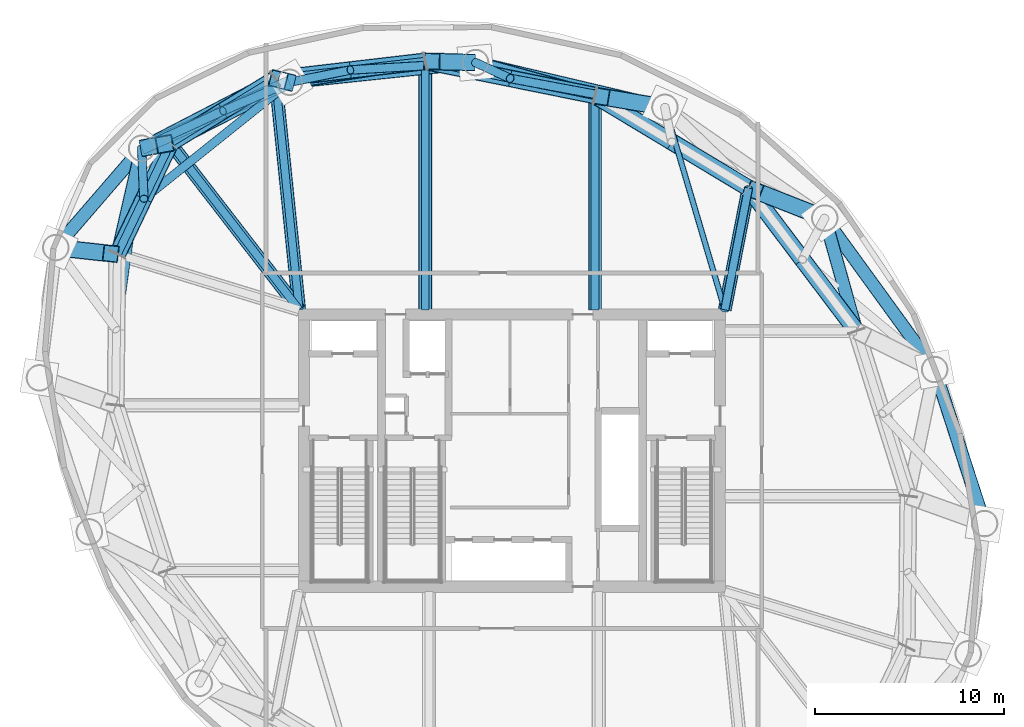
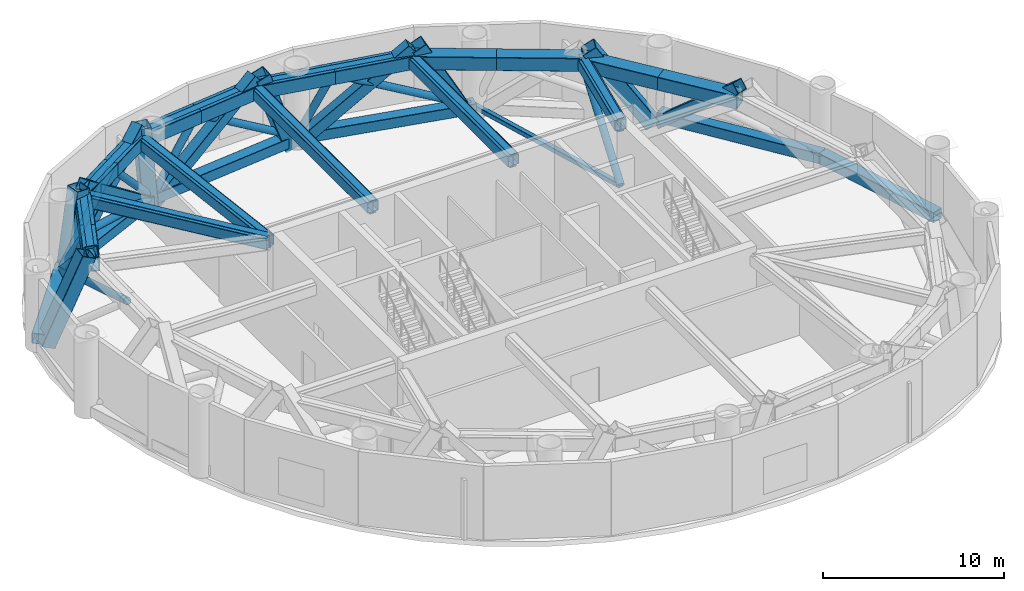
# One storey, part 3 of 10: 46 members, 9 beams.
"""IFC4 building model written with IfcOpenShell, lengths in metres."""

from ifc_helpers import new_model, si_unit, direction, frame, origin, origin_2d, place, context, subcontext, project, spatial, hollow_rectangle, hollow_circle, i_section, extrude, material, material_profile, profile_set, type_object, element, save


model = new_model("IFC4")

# Units and contexts
model_context = context("Model", 3, precision=1e-05, world=origin(), true_north=direction((0.0, 1.0)))
body_context = subcontext(model_context, "Body", "Model", "MODEL_VIEW")
ifc_project = project(units=[si_unit("LENGTHUNIT", "METRE"), si_unit("AREAUNIT", "SQUARE_METRE"), si_unit("VOLUMEUNIT", "CUBIC_METRE"), si_unit("PLANEANGLEUNIT", "RADIAN"), si_unit("MASSUNIT", "GRAM", prefix="KILO")], contexts=[model_context])

# Site, building, storey
site_placement = place(None, origin())
site = spatial("IfcSite", under=ifc_project, at=site_placement, CompositionType="ELEMENT")
building_placement = place(site_placement, origin())
building = spatial("IfcBuilding", under=site, at=building_placement, Name="Bramvorn Convention Spire", CompositionType="ELEMENT")
storey_placement = place(building_placement, frame((0.0, 0.0, 165.800048828125)))
storey = spatial("IfcBuildingStorey", under=building, at=storey_placement, Name="L42", CompositionType="ELEMENT", Elevation=165.800048828125)

# Beams
ifc_material = material(Name="Steel CSA G40.21 Grade 350 (350W)", Category="steel")
ifc_material_profile_1 = material_profile(ifc_material, i_section(OverallWidth=0.41796875, OverallDepth=0.912109375, WebThickness=0.019287109375, FlangeThickness=0.031982421875, FilletRadius=0.02392578125, at=origin_2d()))
ifc_profile_set_1 = profile_set([ifc_material_profile_1], Name="Steel CSA G40.21 Grade 350 (350W) - W920X342")
beam_type = type_object("IfcBeamType", Name="BM-W920X342", PredefinedType="BEAM", material=ifc_profile_set_1)
beam_1_placement = place(storey_placement, frame((49.25, 33.449951171875, 4.52392578125), z_axis=(0.190971329886, 0.981595614885, 0.0), x_axis=(-0.981595614885, 0.190971329886, 0.0)))
element("IfcBeam", 1, at=beam_1_placement, inside=storey, type_object=beam_type, Name="L42 step-in radial transfer girder MC05", PredefinedType="BEAM", context=body_context, shape_type="SweptSolid", body=[
    extrude(i_section(OverallWidth=0.41796875, OverallDepth=0.912109375, WebThickness=0.019287109375, FlangeThickness=0.031982421875, FilletRadius=0.02392578125, at=origin_2d()), origin(), (0.0, 0.0, 1.0), 6.5556640625),
])
beam_2_placement = place(storey_placement, frame((42.38916015625, 44.772216796875, 4.52392578125), z_axis=(-0.980124701676, 0.198382381187, 0.0), x_axis=(-0.198382381187, -0.980124701676, 0.0)))
element("IfcBeam", 2, at=beam_2_placement, inside=storey, type_object=beam_type, Name="L42 step-in transfer ring girder 06", PredefinedType="BEAM", context=body_context, shape_type="SweptSolid", body=[
    extrude(i_section(OverallWidth=0.41796875, OverallDepth=0.912109375, WebThickness=0.019287109375, FlangeThickness=0.031982421875, FilletRadius=0.02392578125, at=origin_2d()), origin(), (0.0, 0.0, 1.0), 9.15478515625),
])
beam_3_placement = place(storey_placement, frame((42.38916015625, 33.449951171875, 4.52392578125), z_axis=(0.0, 1.0, 0.0), x_axis=(-1.0, 0.0, 0.0)))
element("IfcBeam", 3, at=beam_3_placement, inside=storey, type_object=beam_type, Name="L42 step-in radial transfer girder MC06", PredefinedType="BEAM", context=body_context, shape_type="SweptSolid", body=[
    extrude(i_section(OverallWidth=0.41796875, OverallDepth=0.912109375, WebThickness=0.019287109375, FlangeThickness=0.031982421875, FilletRadius=0.02392578125, at=origin_2d()), origin(), (0.0, 0.0, 1.0), 11.322265625),
])
beam_4_placement = place(storey_placement, frame((33.416259765625, 46.58837890625, 4.52392578125), z_axis=(-0.993256148339, -0.115940604561, 0.0), x_axis=(0.115940604561, -0.993256148339, 0.0)))
element("IfcBeam", 4, at=beam_4_placement, inside=storey, type_object=beam_type, Name="L42 step-in transfer ring girder 07", PredefinedType="BEAM", context=body_context, shape_type="SweptSolid", body=[
    extrude(i_section(OverallWidth=0.41796875, OverallDepth=0.912109375, WebThickness=0.019287109375, FlangeThickness=0.031982421875, FilletRadius=0.02392578125, at=origin_2d()), origin(), (0.0, 0.0, 1.0), 7.974365234375),
])
beam_5_placement = place(storey_placement, frame((33.416259765625, 33.449951171875, 4.52392578125), z_axis=(0.0, 1.0, 0.0), x_axis=(-1.0, 0.0, 0.0)))
element("IfcBeam", 5, at=beam_5_placement, inside=storey, type_object=beam_type, Name="L42 step-in radial transfer girder MC07", PredefinedType="BEAM", context=body_context, shape_type="SweptSolid", body=[
    extrude(i_section(OverallWidth=0.41796875, OverallDepth=0.912109375, WebThickness=0.019287109375, FlangeThickness=0.031982421875, FilletRadius=0.02392578125, at=origin_2d()), origin(), (0.0, 0.0, 1.0), 13.138427734375),
])
beam_6_placement = place(storey_placement, frame((25.49560546875, 45.663818359375, 4.52392578125), z_axis=(-0.852616873135, -0.522536570629, 0.0), x_axis=(0.522536570629, -0.852616873135, 0.0)))
element("IfcBeam", 6, at=beam_6_placement, inside=storey, type_object=beam_type, Name="L42 step-in transfer ring girder 08", PredefinedType="BEAM", context=body_context, shape_type="SweptSolid", body=[
    extrude(i_section(OverallWidth=0.41796875, OverallDepth=0.912109375, WebThickness=0.019287109375, FlangeThickness=0.031982421875, FilletRadius=0.02392578125, at=origin_2d()), origin(), (0.0, 0.0, 1.0), 6.513916015625),
])
beam_7_placement = place(storey_placement, frame((26.75, 33.449951171875, 4.52392578125), z_axis=(-0.10216509146, 0.994767457292, 0.0), x_axis=(-0.994767457292, -0.10216509146, 0.0)))
element("IfcBeam", 7, at=beam_7_placement, inside=storey, type_object=beam_type, Name="L42 step-in radial transfer girder MC08", PredefinedType="BEAM", context=body_context, shape_type="SweptSolid", body=[
    extrude(i_section(OverallWidth=0.41796875, OverallDepth=0.912109375, WebThickness=0.019287109375, FlangeThickness=0.031982421875, FilletRadius=0.02392578125, at=origin_2d()), origin(), (0.0, 0.0, 1.0), 12.278076171875),
])
beam_8_placement = place(storey_placement, frame((19.941650390625, 42.260009765625, 4.52392578125), z_axis=(-0.430556138422, -0.902563799223, 0.0), x_axis=(0.902563799223, -0.430556138422, 0.0)))
element("IfcBeam", 8, at=beam_8_placement, inside=storey, type_object=beam_type, Name="L42 step-in transfer ring girder 09", PredefinedType="BEAM", context=body_context, shape_type="SweptSolid", body=[
    extrude(i_section(OverallWidth=0.41796875, OverallDepth=0.912109375, WebThickness=0.019287109375, FlangeThickness=0.031982421875, FilletRadius=0.02392578125, at=origin_2d()), origin(), (0.0, 0.0, 1.0), 6.51416015625),
])
beam_9_placement = place(storey_placement, frame((26.75, 33.449951171875, 4.52392578125), z_axis=(-0.611479951477, 0.791259925019, 0.0), x_axis=(-0.791259925019, -0.611479951477, 0.0)))
element("IfcBeam", 9, at=beam_9_placement, inside=storey, type_object=beam_type, Name="L42 step-in radial transfer girder MC09", PredefinedType="BEAM", context=body_context, shape_type="SweptSolid", body=[
    extrude(i_section(OverallWidth=0.41796875, OverallDepth=0.912109375, WebThickness=0.019287109375, FlangeThickness=0.031982421875, FilletRadius=0.02392578125, at=origin_2d()), origin(), (0.0, 0.0, 1.0), 11.13427734375),
])

# Members
ifc_material_profile_2 = material_profile(ifc_material, hollow_rectangle(XDim=0.699951171875, YDim=0.699951171875, WallThickness=0.034912109375, InnerFilletRadius=0.0009765625, OuterFilletRadius=0.034912109375, at=origin_2d()))
ifc_profile_set_2 = profile_set([ifc_material_profile_2], Name="Steel CSA G40.21 Grade 350 (350W) - BOX700X700X35")
member_type_1 = type_object("IfcMemberType", Name="MBR-BOX700X700X35", PredefinedType="CHORD", material=ifc_profile_set_2)
member_1_placement = place(storey_placement, frame((62.983642578125, 22.148193359375, 0.449951171875), z_axis=(-0.308114853612, 0.951349166701, 0.0), x_axis=(-0.951349166701, -0.308114853612, 0.0)))
element("IfcMember", 10, at=member_1_placement, inside=storey, type_object=member_type_1, Name="L42 belt truss bottom chord 2", PredefinedType="CHORD", context=body_context, shape_type="SweptSolid", body=[
    extrude(hollow_rectangle(XDim=0.699951171875, YDim=0.699951171875, WallThickness=0.034912109375, InnerFilletRadius=0.0009765625, OuterFilletRadius=0.034912109375, at=origin_2d()), origin(), (0.0, 0.0, 1.0), 8.5615234375),
])
member_2_placement = place(storey_placement, frame((60.345703125, 30.293212890625, 0.449951171875), z_axis=(-0.587401024629, 0.809296012757, 0.0), x_axis=(-0.809296012757, -0.587401024629, 0.0)))
element("IfcMember", 11, at=member_2_placement, inside=storey, type_object=member_type_1, Name="L42 belt truss bottom chord 3", PredefinedType="CHORD", context=body_context, shape_type="SweptSolid", body=[
    extrude(hollow_rectangle(XDim=0.699951171875, YDim=0.699951171875, WallThickness=0.034912109375, InnerFilletRadius=0.0009765625, OuterFilletRadius=0.034912109375, at=origin_2d()), origin(), (0.0, 0.0, 1.0), 9.892333984375),
])
member_3_placement = place(storey_placement, frame((54.534912109375, 38.299072265625, 0.0), z_axis=(0.203747803707, -0.726165128759, 0.656636153634), x_axis=(0.962818751094, 0.270148204773, 0.0)))
element("IfcMember", 12, at=member_3_placement, inside=storey, type_object=member_type_1, Name="L42 step-in secondary transfer strut MC04", PredefinedType="CHORD", context=body_context, shape_type="SweptSolid", body=[
    extrude(hollow_rectangle(XDim=0.699951171875, YDim=0.699951171875, WallThickness=0.034912109375, InnerFilletRadius=0.0009765625, OuterFilletRadius=0.034912109375, at=origin_2d()), origin(), (0.0, 0.0, 1.0), 8.2236328125),
])
member_4_placement = place(storey_placement, frame((46.082763671875, 44.154052734375, 0.449951171875), z_axis=(-0.97322750491, 0.229843911572, 0.0), x_axis=(-0.229843911572, -0.97322750491, 0.0)))
element("IfcMember", 13, at=member_4_placement, inside=storey, type_object=member_type_1, Name="L42 belt truss bottom chord 5", PredefinedType="CHORD", context=body_context, shape_type="SweptSolid", body=[
    extrude(hollow_rectangle(XDim=0.699951171875, YDim=0.699951171875, WallThickness=0.034912109375, InnerFilletRadius=0.0009765625, OuterFilletRadius=0.034912109375, at=origin_2d()), origin(), (0.0, 0.0, 1.0), 10.2822265625),
])
member_5_placement = place(storey_placement, frame((49.25, 33.449951171875, 4.530029296875), z_axis=(0.190971329886, 0.981595614885, 0.0), x_axis=(-0.981595614885, 0.190971329886, 0.0)))
element("IfcMember", 14, at=member_5_placement, inside=storey, type_object=member_type_1, Name="L42 outrigger top tie MC05", PredefinedType="CHORD", context=body_context, shape_type="SweptSolid", body=[
    extrude(hollow_rectangle(XDim=0.699951171875, YDim=0.699951171875, WallThickness=0.034912109375, InnerFilletRadius=0.0009765625, OuterFilletRadius=0.034912109375, at=origin_2d()), origin(), (0.0, 0.0, 1.0), 6.5556640625),
])
member_6_placement = place(storey_placement, frame((36.075927734375, 46.517333984375, 0.449951171875), z_axis=(-0.994473491975, -0.104987969596, 0.0), x_axis=(0.104987969596, -0.994473491975, 0.0)))
element("IfcMember", 15, at=member_6_placement, inside=storey, type_object=member_type_1, Name="L42 belt truss bottom chord 6", PredefinedType="CHORD", context=body_context, shape_type="SweptSolid", body=[
    extrude(hollow_rectangle(XDim=0.699951171875, YDim=0.699951171875, WallThickness=0.034912109375, InnerFilletRadius=0.0009765625, OuterFilletRadius=0.034912109375, at=origin_2d()), origin(), (0.0, 0.0, 1.0), 9.892333984375),
])
member_7_placement = place(storey_placement, frame((36.075927734375, 46.517333984375, 0.0), z_axis=(0.743705140438, -0.205576563048, 0.636113936974), x_axis=(0.266430609193, 0.963854102282, 0.0)))
element("IfcMember", 16, at=member_7_placement, inside=storey, type_object=member_type_1, Name="L42 step-in secondary transfer strut MC06", PredefinedType="CHORD", context=body_context, shape_type="SweptSolid", body=[
    extrude(hollow_rectangle(XDim=0.699951171875, YDim=0.699951171875, WallThickness=0.034912109375, InnerFilletRadius=0.0009765625, OuterFilletRadius=0.034912109375, at=origin_2d()), origin(), (0.0, 0.0, 1.0), 8.489013671875),
])
member_8_placement = place(storey_placement, frame((42.38916015625, 33.449951171875, 4.530029296875), z_axis=(0.0, 1.0, 0.0), x_axis=(-1.0, 0.0, 0.0)))
element("IfcMember", 17, at=member_8_placement, inside=storey, type_object=member_type_1, Name="L42 outrigger top tie MC06", PredefinedType="CHORD", context=body_context, shape_type="SweptSolid", body=[
    extrude(hollow_rectangle(XDim=0.699951171875, YDim=0.699951171875, WallThickness=0.034912109375, InnerFilletRadius=0.0009765625, OuterFilletRadius=0.034912109375, at=origin_2d()), origin(), (0.0, 0.0, 1.0), 11.322265625),
])
member_9_placement = place(storey_placement, frame((26.23828125, 45.478759765625, 0.449951171875), z_axis=(-0.913169534701, -0.407579931908, 0.0), x_axis=(0.407579931908, -0.913169534701, 0.0)))
element("IfcMember", 18, at=member_9_placement, inside=storey, type_object=member_type_1, Name="L42 belt truss bottom chord 7", PredefinedType="CHORD", context=body_context, shape_type="SweptSolid", body=[
    extrude(hollow_rectangle(XDim=0.699951171875, YDim=0.699951171875, WallThickness=0.034912109375, InnerFilletRadius=0.0009765625, OuterFilletRadius=0.034912109375, at=origin_2d()), origin(), (0.0, 0.0, 1.0), 8.5615234375),
])
member_10_placement = place(storey_placement, frame((26.23828125, 45.478759765625, 0.0), z_axis=(0.793093174827, 0.122601560477, 0.596633952614), x_axis=(-0.152771959138, 0.98826146768, 0.0)))
element("IfcMember", 19, at=member_10_placement, inside=storey, type_object=member_type_1, Name="L42 step-in secondary transfer strut MC07", PredefinedType="CHORD", context=body_context, shape_type="SweptSolid", body=[
    extrude(hollow_rectangle(XDim=0.699951171875, YDim=0.699951171875, WallThickness=0.034912109375, InnerFilletRadius=0.0009765625, OuterFilletRadius=0.034912109375, at=origin_2d()), origin(), (0.0, 0.0, 1.0), 9.050537109375),
])
member_11_placement = place(storey_placement, frame((33.416259765625, 33.449951171875, 4.530029296875), z_axis=(0.0, 1.0, 0.0), x_axis=(-1.0, 0.0, 0.0)))
element("IfcMember", 20, at=member_11_placement, inside=storey, type_object=member_type_1, Name="L42 outrigger top tie MC07", PredefinedType="CHORD", context=body_context, shape_type="SweptSolid", body=[
    extrude(hollow_rectangle(XDim=0.699951171875, YDim=0.699951171875, WallThickness=0.034912109375, InnerFilletRadius=0.0009765625, OuterFilletRadius=0.034912109375, at=origin_2d()), origin(), (0.0, 0.0, 1.0), 13.138427734375),
])
member_12_placement = place(storey_placement, frame((18.420166015625, 41.9892578125, 0.449951171875), z_axis=(-0.653824993824, -0.756645807132, 0.0), x_axis=(0.756645807132, -0.653824993824, 0.0)))
element("IfcMember", 21, at=member_12_placement, inside=storey, type_object=member_type_1, Name="L42 belt truss bottom chord 8", PredefinedType="CHORD", context=body_context, shape_type="SweptSolid", body=[
    extrude(hollow_rectangle(XDim=0.699951171875, YDim=0.699951171875, WallThickness=0.034912109375, InnerFilletRadius=0.0009765625, OuterFilletRadius=0.034912109375, at=origin_2d()), origin(), (0.0, 0.0, 1.0), 6.9404296875),
])
member_13_placement = place(storey_placement, frame((18.420166015625, 41.9892578125, 0.0), z_axis=(0.734783255288, 0.381602524942, 0.56077899453), x_axis=(-0.460891801647, 0.887456335362, 0.0)))
element("IfcMember", 22, at=member_13_placement, inside=storey, type_object=member_type_1, Name="L42 step-in secondary transfer strut MC08", PredefinedType="CHORD", context=body_context, shape_type="SweptSolid", body=[
    extrude(hollow_rectangle(XDim=0.699951171875, YDim=0.699951171875, WallThickness=0.034912109375, InnerFilletRadius=0.0009765625, OuterFilletRadius=0.034912109375, at=origin_2d()), origin(), (0.0, 0.0, 1.0), 9.62939453125),
])
member_14_placement = place(storey_placement, frame((26.75, 33.449951171875, 4.530029296875), z_axis=(-0.10216509146, 0.994767457292, 0.0), x_axis=(-0.994767457292, -0.10216509146, 0.0)))
element("IfcMember", 23, at=member_14_placement, inside=storey, type_object=member_type_1, Name="L42 outrigger top tie MC08", PredefinedType="CHORD", context=body_context, shape_type="SweptSolid", body=[
    extrude(hollow_rectangle(XDim=0.699951171875, YDim=0.699951171875, WallThickness=0.034912109375, InnerFilletRadius=0.0009765625, OuterFilletRadius=0.034912109375, at=origin_2d()), origin(), (0.0, 0.0, 1.0), 12.278076171875),
])
member_15_placement = place(storey_placement, frame((26.23828125, 45.478759765625, 0.0), z_axis=(-0.707679363849, -0.361755834709, 0.606895900493), x_axis=(0.455163980415, -0.890407631893, 0.0)))
element("IfcMember", 24, at=member_15_placement, inside=storey, type_object=member_type_1, Name="L42 step-in secondary transfer strut MC09", PredefinedType="CHORD", context=body_context, shape_type="SweptSolid", body=[
    extrude(hollow_rectangle(XDim=0.699951171875, YDim=0.699951171875, WallThickness=0.034912109375, InnerFilletRadius=0.0009765625, OuterFilletRadius=0.034912109375, at=origin_2d()), origin(), (0.0, 0.0, 1.0), 8.8974609375),
])
member_16_placement = place(storey_placement, frame((26.75, 33.449951171875, 4.530029296875), z_axis=(-0.611479951477, 0.791259925019, 0.0), x_axis=(-0.791259925019, -0.611479951477, 0.0)))
element("IfcMember", 25, at=member_16_placement, inside=storey, type_object=member_type_1, Name="L42 outrigger top tie MC09", PredefinedType="CHORD", context=body_context, shape_type="SweptSolid", body=[
    extrude(hollow_rectangle(XDim=0.699951171875, YDim=0.699951171875, WallThickness=0.034912109375, InnerFilletRadius=0.0009765625, OuterFilletRadius=0.034912109375, at=origin_2d()), origin(), (0.0, 0.0, 1.0), 11.13427734375),
])
member_17_placement = place(storey_placement, frame((18.420166015625, 41.9892578125, 0.0), z_axis=(-0.162623156072, -0.710795617284, 0.684341507991), x_axis=(0.974812135138, -0.223027579432, 0.0)))
element("IfcMember", 26, at=member_17_placement, inside=storey, type_object=member_type_1, Name="L42 step-in secondary transfer strut MC10", PredefinedType="CHORD", context=body_context, shape_type="SweptSolid", body=[
    extrude(hollow_rectangle(XDim=0.699951171875, YDim=0.699951171875, WallThickness=0.034912109375, InnerFilletRadius=0.0009765625, OuterFilletRadius=0.034912109375, at=origin_2d()), origin(), (0.0, 0.0, 1.0), 7.890625),
])
ifc_material_profile_3 = material_profile(ifc_material, hollow_rectangle(XDim=0.89990234375, YDim=0.89990234375, WallThickness=0.044921875, InnerFilletRadius=0.0009765625, OuterFilletRadius=0.044921875, at=origin_2d()))
ifc_profile_set_3 = profile_set([ifc_material_profile_3], Name="Steel CSA G40.21 Grade 350 (350W) - BOX900X900X45")
member_type_2 = type_object("IfcMemberType", Name="MBR-BOX900X900X45", PredefinedType="CHORD", material=ifc_profile_set_3)
for number, where, z_axis, x_axis, name in (
    (27, (56.21044921875, 32.327392578125, 4.530029296875), (-0.602718581414, 0.797953827999, 0.0), (-0.797953827999, -0.602718581414, 0.0), "L42 belt truss top chord 4A"),
    (28, (53.356201171875, 36.106201171875, 4.530029296875), (-0.602718581414, 0.797953827999, 0.0), (-0.797953827999, -0.602718581414, 0.0), "L42 belt truss top chord 4B"),
    (29, (50.501953125, 39.885009765625, 4.530029296875), (-0.856581795745, 0.516011266543, 0.0), (-0.516011266543, -0.856581795745, 0.0), "L42 belt truss top chord 5A"),
    (30, (46.445556640625, 42.32861328125, 4.530029296875), (-0.856581795745, 0.516011266543, 0.0), (-0.516011266543, -0.856581795745, 0.0), "L42 belt truss top chord 5B"),
):
    element("IfcMember", number, at=place(storey_placement, frame(where, z_axis=z_axis, x_axis=x_axis)), inside=storey, type_object=member_type_2, Name=name, PredefinedType="CHORD", context=body_context, shape_type="SweptSolid", body=[
        extrude(hollow_rectangle(XDim=0.89990234375, YDim=0.89990234375, WallThickness=0.044921875, InnerFilletRadius=0.0009765625, OuterFilletRadius=0.044921875, at=origin_2d()), origin(), (0.0, 0.0, 1.0), 4.735595703125),
    ])
member_18_placement = place(storey_placement, frame((54.115966796875, 38.463623046875, 0.0), z_axis=(-0.509561713694, 0.200397089423, 0.836772290703), x_axis=(-0.365987967187, -0.930619582791, 0.0)))
element("IfcMember", 31, at=member_18_placement, inside=storey, type_object=member_type_2, Name="L42 step-in mega-column transfer strut MC05", PredefinedType="CHORD", context=body_context, shape_type="SweptSolid", body=[
    extrude(hollow_rectangle(XDim=0.89990234375, YDim=0.89990234375, WallThickness=0.044921875, InnerFilletRadius=0.0009765625, OuterFilletRadius=0.044921875, at=origin_2d()), origin(), (0.0, 0.0, 1.0), 6.453369140625),
])
member_19_placement = place(storey_placement, frame((42.38916015625, 44.772216796875, 4.530029296875), z_axis=(-0.98013093588, 0.198351578089, 0.0), x_axis=(-0.198351578089, -0.98013093588, 0.0)))
element("IfcMember", 32, at=member_19_placement, inside=storey, type_object=member_type_2, Name="L42 belt truss top chord 6A", PredefinedType="CHORD", context=body_context, shape_type="SweptSolid", body=[
    extrude(hollow_rectangle(XDim=0.89990234375, YDim=0.89990234375, WallThickness=0.044921875, InnerFilletRadius=0.0009765625, OuterFilletRadius=0.044921875, at=origin_2d()), origin(), (0.0, 0.0, 1.0), 4.57763671875),
])
member_20_placement = place(storey_placement, frame((37.902587890625, 45.68017578125, 4.530029296875), z_axis=(-0.980118466243, 0.198413185373, 0.0), x_axis=(-0.198413185373, -0.980118466243, 0.0)))
element("IfcMember", 33, at=member_20_placement, inside=storey, type_object=member_type_2, Name="L42 belt truss top chord 6B", PredefinedType="CHORD", context=body_context, shape_type="SweptSolid", body=[
    extrude(hollow_rectangle(XDim=0.89990234375, YDim=0.89990234375, WallThickness=0.044921875, InnerFilletRadius=0.0009765625, OuterFilletRadius=0.044921875, at=origin_2d()), origin(), (0.0, 0.0, 1.0), 4.577392578125),
])
member_21_placement = place(storey_placement, frame((45.638916015625, 44.228271484375, 0.0), z_axis=(-0.472226402777, 0.079028559127, 0.877927509173), x_axis=(-0.165057684669, -0.98628391487, 0.0)))
element("IfcMember", 34, at=member_21_placement, inside=storey, type_object=member_type_2, Name="L42 step-in mega-column transfer strut MC06", PredefinedType="CHORD", context=body_context, shape_type="SweptSolid", body=[
    extrude(hollow_rectangle(XDim=0.89990234375, YDim=0.89990234375, WallThickness=0.044921875, InnerFilletRadius=0.0009765625, OuterFilletRadius=0.044921875, at=origin_2d()), origin(), (0.0, 0.0, 1.0), 6.150634765625),
])
member_22_placement = place(storey_placement, frame((33.416259765625, 46.58837890625, 4.530029296875), z_axis=(-0.993253033993, -0.115967281863, 0.0), x_axis=(0.115967281863, -0.993253033993, 0.0)))
element("IfcMember", 35, at=member_22_placement, inside=storey, type_object=member_type_2, Name="L42 belt truss top chord 7A", PredefinedType="CHORD", context=body_context, shape_type="SweptSolid", body=[
    extrude(hollow_rectangle(XDim=0.89990234375, YDim=0.89990234375, WallThickness=0.044921875, InnerFilletRadius=0.0009765625, OuterFilletRadius=0.044921875, at=origin_2d()), origin(), (0.0, 0.0, 1.0), 3.9873046875),
])
member_23_placement = place(storey_placement, frame((29.455810546875, 46.1259765625, 4.530029296875), z_axis=(-0.99325926218, -0.115913925363, 0.0), x_axis=(0.115913925363, -0.99325926218, 0.0)))
element("IfcMember", 36, at=member_23_placement, inside=storey, type_object=member_type_2, Name="L42 belt truss top chord 7B", PredefinedType="CHORD", context=body_context, shape_type="SweptSolid", body=[
    extrude(hollow_rectangle(XDim=0.89990234375, YDim=0.89990234375, WallThickness=0.044921875, InnerFilletRadius=0.0009765625, OuterFilletRadius=0.044921875, at=origin_2d()), origin(), (0.0, 0.0, 1.0), 3.987060546875),
])
member_24_placement = place(storey_placement, frame((35.626220703125, 46.529296875, 0.0), z_axis=(-0.32567660223, 0.008720045525, 0.945441014324), x_axis=(-0.026765574815, -0.999641737827, 0.0)))
element("IfcMember", 37, at=member_24_placement, inside=storey, type_object=member_type_2, Name="L42 step-in mega-column transfer strut MC07", PredefinedType="CHORD", context=body_context, shape_type="SweptSolid", body=[
    extrude(hollow_rectangle(XDim=0.89990234375, YDim=0.89990234375, WallThickness=0.044921875, InnerFilletRadius=0.0009765625, OuterFilletRadius=0.044921875, at=origin_2d()), origin(), (0.0, 0.0, 1.0), 5.71142578125),
])
member_25_placement = place(storey_placement, frame((25.49560546875, 45.663818359375, 4.530029296875), z_axis=(-0.852627106163, -0.522519873149, 0.0), x_axis=(0.522519873149, -0.852627106163, 0.0)))
element("IfcMember", 38, at=member_25_placement, inside=storey, type_object=member_type_2, Name="L42 belt truss top chord 8A", PredefinedType="CHORD", context=body_context, shape_type="SweptSolid", body=[
    extrude(hollow_rectangle(XDim=0.89990234375, YDim=0.89990234375, WallThickness=0.044921875, InnerFilletRadius=0.0009765625, OuterFilletRadius=0.044921875, at=origin_2d()), origin(), (0.0, 0.0, 1.0), 3.257080078125),
])
member_26_placement = place(storey_placement, frame((22.718505859375, 43.9619140625, 4.530029296875), z_axis=(-0.852606639126, -0.522553268977, 0.0), x_axis=(0.522553268977, -0.852606639126, 0.0)))
element("IfcMember", 39, at=member_26_placement, inside=storey, type_object=member_type_2, Name="L42 belt truss top chord 8B", PredefinedType="CHORD", context=body_context, shape_type="SweptSolid", body=[
    extrude(hollow_rectangle(XDim=0.89990234375, YDim=0.89990234375, WallThickness=0.044921875, InnerFilletRadius=0.0009765625, OuterFilletRadius=0.044921875, at=origin_2d()), origin(), (0.0, 0.0, 1.0), 3.2568359375),
])
member_27_placement = place(storey_placement, frame((26.052490234375, 45.52490234375, 0.0), z_axis=(-0.075410967904, 0.018796397858, 0.99697536647), x_axis=(-0.241853231203, -0.970312843652, 0.0)))
element("IfcMember", 40, at=member_27_placement, inside=storey, type_object=member_type_2, Name="L42 step-in mega-column transfer strut MC08", PredefinedType="CHORD", context=body_context, shape_type="SweptSolid", body=[
    extrude(hollow_rectangle(XDim=0.89990234375, YDim=0.89990234375, WallThickness=0.044921875, InnerFilletRadius=0.0009765625, OuterFilletRadius=0.044921875, at=origin_2d()), origin(), (0.0, 0.0, 1.0), 5.416259765625),
])
for number, where, z_axis, x_axis, name in (
    (41, (19.941650390625, 42.260009765625, 4.530029296875), (-0.430556138422, -0.902563799223, 0.0), (0.902563799223, -0.430556138422, 0.0), "L42 belt truss top chord 9A"),
    (42, (18.539306640625, 39.3203125, 4.530029296875), (-0.430556138422, -0.902563799223, 0.0), (0.902563799223, -0.430556138422, 0.0), "L42 belt truss top chord 9B"),
):
    element("IfcMember", number, at=place(storey_placement, frame(where, z_axis=z_axis, x_axis=x_axis)), inside=storey, type_object=member_type_2, Name=name, PredefinedType="CHORD", context=body_context, shape_type="SweptSolid", body=[
        extrude(hollow_rectangle(XDim=0.89990234375, YDim=0.89990234375, WallThickness=0.044921875, InnerFilletRadius=0.0009765625, OuterFilletRadius=0.044921875, at=origin_2d()), origin(), (0.0, 0.0, 1.0), 3.257080078125),
    ])
member_28_placement = place(storey_placement, frame((18.800537109375, 42.056884765625, 0.0), z_axis=(0.153057836332, 0.027244026893, 0.987841617738), x_axis=(-0.175243740378, 0.984525079141, 0.0)))
element("IfcMember", 43, at=member_28_placement, inside=storey, type_object=member_type_2, Name="L42 step-in mega-column transfer strut MC09", PredefinedType="CHORD", context=body_context, shape_type="SweptSolid", body=[
    extrude(hollow_rectangle(XDim=0.89990234375, YDim=0.89990234375, WallThickness=0.044921875, InnerFilletRadius=0.0009765625, OuterFilletRadius=0.044921875, at=origin_2d()), origin(), (0.0, 0.0, 1.0), 5.46630859375),
])
member_29_placement = place(storey_placement, frame((14.32958984375, 36.688720703125, 0.0), z_axis=(0.414068704119, -0.045459597653, 0.909109747638), x_axis=(0.109131841965, 0.994027283866, 0.0)))
element("IfcMember", 44, at=member_29_placement, inside=storey, type_object=member_type_2, Name="L42 step-in mega-column transfer strut MC10", PredefinedType="CHORD", context=body_context, shape_type="SweptSolid", body=[
    extrude(hollow_rectangle(XDim=0.89990234375, YDim=0.89990234375, WallThickness=0.044921875, InnerFilletRadius=0.0009765625, OuterFilletRadius=0.044921875, at=origin_2d()), origin(), (0.0, 0.0, 1.0), 5.939697265625),
])
ifc_material_profile_4 = material_profile(ifc_material, hollow_circle(Radius=0.228515625, WallThickness=0.01904296875, at=origin_2d()))
ifc_profile_set_4 = profile_set([ifc_material_profile_4], Name="Steel CSA G40.21 Grade 350 (350W) - CHS457X19")
member_type_3 = type_object("IfcMemberType", Name="MBR-CHS457X19", PredefinedType="BRACE", material=ifc_profile_set_4)
member_30_placement = place(storey_placement, frame((49.25, 33.449951171875, 0.449951171875), z_axis=(0.162134727458, 0.833375028535, 0.528392270919), x_axis=(-0.981595614885, 0.190971329886, 0.0)))
element("IfcMember", 45, at=member_30_placement, inside=storey, type_object=member_type_3, Name="L42 outrigger web diagonal MC05", PredefinedType="BRACE", context=body_context, shape_type="SweptSolid", body=[
    extrude(hollow_circle(Radius=0.228515625, WallThickness=0.01904296875, at=origin_2d()), origin(), (0.0, 0.0, 1.0), 7.7216796875),
])
member_31_placement = place(storey_placement, frame((46.082763671875, 44.154052734375, 0.449951171875), z_axis=(-0.882648696492, 0.164670118838, 0.440244285077), x_axis=(-0.183399205726, -0.983038519764, 0.0)))
element("IfcMember", 46, at=member_31_placement, inside=storey, type_object=member_type_3, Name="L42 ring belt diagonal 6A", PredefinedType="BRACE", context=body_context, shape_type="SweptSolid", body=[
    extrude(hollow_circle(Radius=0.228515625, WallThickness=0.01904296875, at=origin_2d()), origin(), (0.0, 0.0, 1.0), 9.267822265625),
])
member_32_placement = place(storey_placement, frame((36.075927734375, 46.517333984375, 0.449951171875), z_axis=(0.401637843086, -0.184070591278, 0.897109280092), x_axis=(0.416629608101, 0.909076327738, 0.0)))
element("IfcMember", 47, at=member_32_placement, inside=storey, type_object=member_type_3, Name="L42 ring belt diagonal 6B", PredefinedType="BRACE", context=body_context, shape_type="SweptSolid", body=[
    extrude(hollow_circle(Radius=0.228515625, WallThickness=0.01904296875, at=origin_2d()), origin(), (0.0, 0.0, 1.0), 4.548095703125),
])
member_33_placement = place(storey_placement, frame((36.075927734375, 46.517333984375, 0.449951171875), z_axis=(-0.850228548642, -0.050262441491, 0.52400868509), x_axis=(0.059013360389, -0.99825719296, 0.0)))
element("IfcMember", 48, at=member_33_placement, inside=storey, type_object=member_type_3, Name="L42 ring belt diagonal 7A", PredefinedType="BRACE", context=body_context, shape_type="SweptSolid", body=[
    extrude(hollow_circle(Radius=0.228515625, WallThickness=0.01904296875, at=origin_2d()), origin(), (0.0, 0.0, 1.0), 7.786376953125),
])
member_34_placement = place(storey_placement, frame((26.23828125, 45.478759765625, 0.449951171875), z_axis=(0.614470846814, 0.12360286933, 0.779196964258), x_axis=(-0.19720322735, 0.980362630419, 0.0)))
element("IfcMember", 49, at=member_34_placement, inside=storey, type_object=member_type_3, Name="L42 ring belt diagonal 7B", PredefinedType="BRACE", context=body_context, shape_type="SweptSolid", body=[
    extrude(hollow_circle(Radius=0.228515625, WallThickness=0.01904296875, at=origin_2d()), origin(), (0.0, 0.0, 1.0), 5.236328125),
])
member_35_placement = place(storey_placement, frame((26.23828125, 45.478759765625, 0.449951171875), z_axis=(-0.628765173325, -0.270966083226, 0.7288564595), x_axis=(0.395763587317, -0.918352428512, 0.0)))
element("IfcMember", 50, at=member_35_placement, inside=storey, type_object=member_type_3, Name="L42 ring belt diagonal 8A", PredefinedType="BRACE", context=body_context, shape_type="SweptSolid", body=[
    extrude(hollow_circle(Radius=0.228515625, WallThickness=0.01904296875, at=origin_2d()), origin(), (0.0, 0.0, 1.0), 5.597900390625),
])
member_36_placement = place(storey_placement, frame((18.420166015625, 41.9892578125, 0.449951171875), z_axis=(0.688160522581, 0.315820573807, 0.653217008598), x_axis=(-0.417106148353, 0.908857778206, 0.0)))
element("IfcMember", 51, at=member_36_placement, inside=storey, type_object=member_type_3, Name="L42 ring belt diagonal 8B", PredefinedType="BRACE", context=body_context, shape_type="SweptSolid", body=[
    extrude(hollow_circle(Radius=0.228515625, WallThickness=0.01904296875, at=origin_2d()), origin(), (0.0, 0.0, 1.0), 6.24609375),
])
member_37_placement = place(storey_placement, frame((18.420166015625, 41.9892578125, 0.449951171875), z_axis=(0.024429402846, -0.54725867195, 0.836606926969), x_axis=(0.999005140085, 0.044595180055, 0.0)))
element("IfcMember", 52, at=member_37_placement, inside=storey, type_object=member_type_3, Name="L42 ring belt diagonal 9A", PredefinedType="BRACE", context=body_context, shape_type="SweptSolid", body=[
    extrude(hollow_circle(Radius=0.228515625, WallThickness=0.01904296875, at=origin_2d()), origin(), (0.0, 0.0, 1.0), 4.876953125),
])
member_38_placement = place(storey_placement, frame((26.23828125, 45.478759765625, 0.449951171875), z_axis=(-0.721557122696, -0.577177054701, 0.382389809243), x_axis=(0.62464974811, -0.780905046844, 0.0)))
element("IfcMember", 53, at=member_38_placement, inside=storey, type_object=member_type_3, Name="L42 ring belt diagonal 9B", PredefinedType="BRACE", context=body_context, shape_type="SweptSolid", body=[
    extrude(hollow_circle(Radius=0.228515625, WallThickness=0.01904296875, at=origin_2d()), origin(), (0.0, 0.0, 1.0), 10.669921875),
])
member_39_placement = place(storey_placement, frame((18.420166015625, 41.9892578125, 0.449951171875), z_axis=(-0.126442939886, -0.912879006111, 0.388154741251), x_axis=(0.990543333933, -0.137200231781, 0.0)))
element("IfcMember", 54, at=member_39_placement, inside=storey, type_object=member_type_3, Name="L42 ring belt diagonal 10B", PredefinedType="BRACE", context=body_context, shape_type="SweptSolid", body=[
    extrude(hollow_circle(Radius=0.228515625, WallThickness=0.01904296875, at=origin_2d()), origin(), (0.0, 0.0, 1.0), 10.511474609375),
])
ifc_material_profile_5 = material_profile(ifc_material, hollow_rectangle(XDim=0.3046875, YDim=0.3046875, WallThickness=0.015869140625, InnerFilletRadius=0.015869140625, OuterFilletRadius=0.03173828125, at=origin_2d()))
ifc_profile_set_5 = profile_set([ifc_material_profile_5], Name="Steel CSA G40.21 Grade 350 (350W) - HSS305X305X16")
member_type_4 = type_object("IfcMemberType", Name="MBR-HSS305X305X16", PredefinedType="POST", material=ifc_profile_set_5)
member_40_placement = place(storey_placement, frame((49.25, 33.449951171875, 0.449951171875), z_axis=(-0.283730130396, 0.958904173057, 0.0), x_axis=(-0.958904173057, -0.283730130396, 0.0)))
element("IfcMember", 55, at=member_40_placement, inside=storey, type_object=member_type_4, Name="L42 outrigger bottom chord MC05", PredefinedType="POST", context=body_context, shape_type="SweptSolid", body=[
    extrude(hollow_rectangle(XDim=0.3046875, YDim=0.3046875, WallThickness=0.015869140625, InnerFilletRadius=0.015869140625, OuterFilletRadius=0.03173828125, at=origin_2d()), origin(), (0.0, 0.0, 1.0), 11.162841796875),
])

save(model, "model.ifc")
